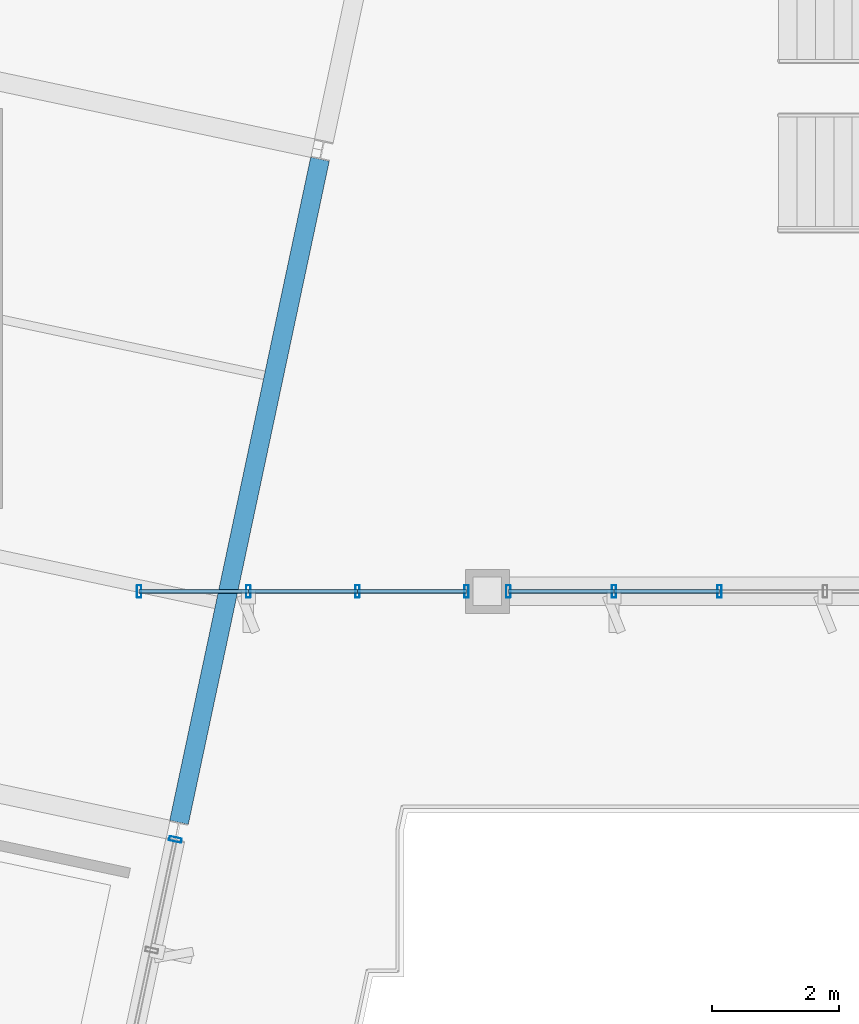
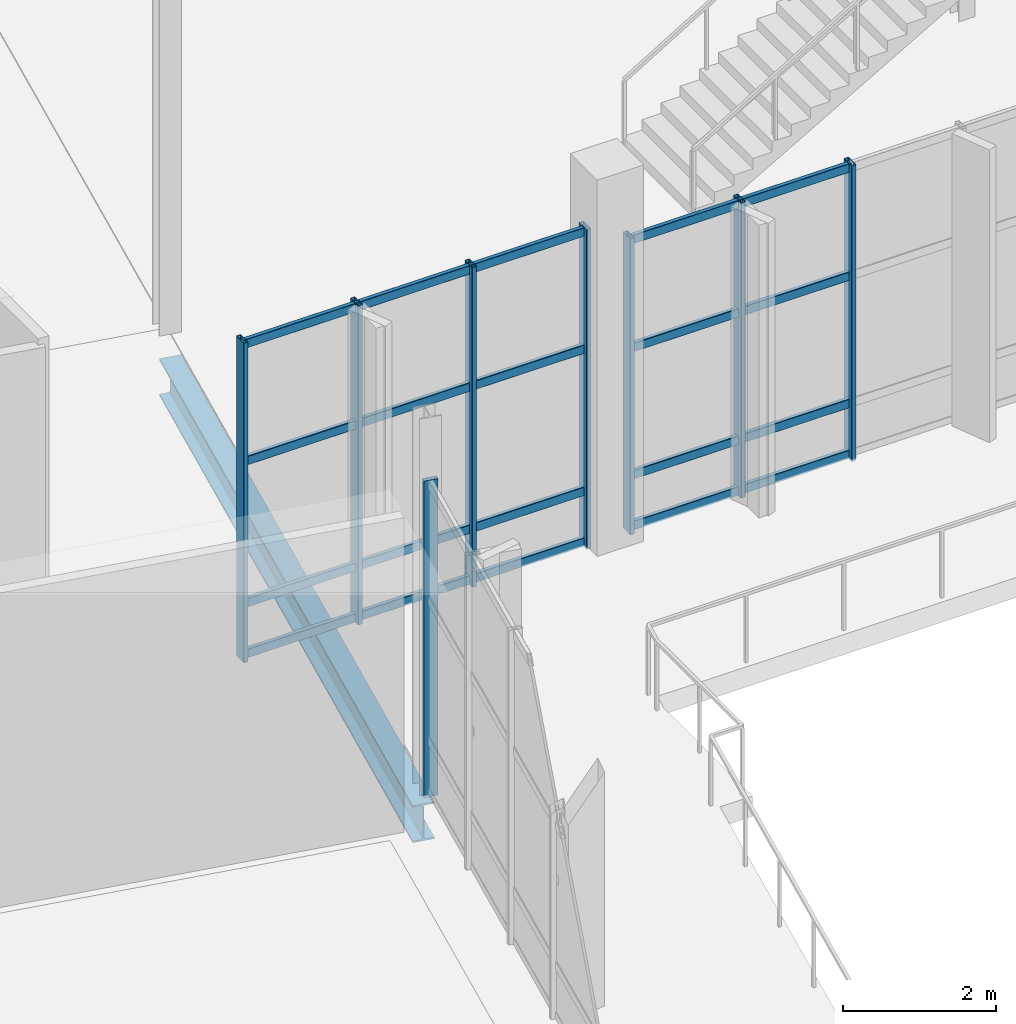
# One storey, part 46 of 163: 28 members, 1 beam, 3 elements without a shape of their own.
"""IFC4 building model written with IfcOpenShell, lengths in metres."""

from ifc_helpers import new_model, si_unit, direction, frame, origin, origin_2d, place, context, subcontext, project, spatial, hollow_rectangle, i_section, extrude, material, layer, layer_set, material_profile, profile_set, type_object, element, aggregate, save


model = new_model("IFC4")

# Units and contexts
model_context = context("Model", 3, precision=1e-05, world=origin(), true_north=direction((0.0, 1.0)))
body_context = subcontext(model_context, "Body", "Model", "MODEL_VIEW")
ifc_project = project(units=[si_unit("LENGTHUNIT", "METRE"), si_unit("AREAUNIT", "SQUARE_METRE"), si_unit("VOLUMEUNIT", "CUBIC_METRE"), si_unit("PLANEANGLEUNIT", "RADIAN"), si_unit("MASSUNIT", "GRAM", prefix="KILO")], contexts=[model_context])

# Site, building, storey
site_placement = place(None, origin())
site = spatial("IfcSite", under=ifc_project, at=site_placement, CompositionType="ELEMENT")
building_placement = place(site_placement, origin())
building = spatial("IfcBuilding", under=site, at=building_placement, Name="Khorjan Park Terminus", CompositionType="ELEMENT")
storey_placement = place(building_placement, origin())
storey = spatial("IfcBuildingStorey", under=building, at=storey_placement, Name="L00", CompositionType="ELEMENT", Elevation=0.0)

# Beam
ifc_material_1 = material(Name="Steel S355", Category="steel")
ifc_material_profile_1 = material_profile(ifc_material_1, i_section(OverallWidth=0.3, OverallDepth=0.59, WebThickness=0.013, FlangeThickness=0.025, FilletRadius=0.027, at=origin_2d()), Name="HEA 600")
ifc_profile_set_1 = profile_set([ifc_material_profile_1], Name="Steel S355")
beam_type = type_object("IfcBeamType", Name="BM-HEA600", PredefinedType="BEAM", material=ifc_profile_set_1)
beam_placement = place(storey_placement, frame((27.1288, 46.3522, -0.655), z_axis=(0.207916823947, 0.978146509639, 0.0), x_axis=(-0.978146509639, 0.207916823947, 0.0)))
element("IfcBeam", 1, at=beam_placement, inside=storey, type_object=beam_type, Name="Primary skew-grid floor girder SB-A60 (L00)", PredefinedType="BEAM", context=body_context, shape_type="SweptSolid", body=[
    extrude(i_section(OverallWidth=0.3, OverallDepth=0.59, WebThickness=0.013, FlangeThickness=0.025, FilletRadius=0.027, at=origin_2d()), origin(), (0.0, 0.0, 1.0), 10.7101),
])

# Curtain wall, members
ifc_material_2 = material(Name="Anodized Bronze Aluminium", Category="aluminium")
ifc_layer = layer(ifc_material_2, 0.22)
ifc_layer_set = layer_set([ifc_layer], Name="Anodized Bronze Aluminium")
curtain_wall_type = type_object("IfcCurtainWallType", Name="CW-PAV-C", PredefinedType="NOTDEFINED", material=ifc_layer_set)
curtain_wall_1_placement = place(storey_placement, origin())
curtain_wall_1 = element("IfcCurtainWall", 2, at=curtain_wall_1_placement, inside=storey, type_object=curtain_wall_type, Name="Unitized curtain wall CW-C (CW-V4L-S-L00-1)", PredefinedType="NOTDEFINED")
ifc_material_profile_2 = material_profile(ifc_material_2, hollow_rectangle(XDim=0.07, YDim=0.2, WallThickness=0.005, InnerFilletRadius=0.005, OuterFilletRadius=0.01, at=origin_2d()), Name="ALM 70x200x5")
ifc_profile_set_2 = profile_set([ifc_material_profile_2], Name="Anodized Bronze Aluminium")
member_type_1 = type_object("IfcMemberType", Name="ML-ALM-200", PredefinedType="MULLION", material=ifc_profile_set_2)
member_1_placement = place(storey_placement, frame((26.5, 50.0, -0.035), z_axis=(0.0, 0.0, 1.0), x_axis=(1.0, 0.0, 0.0)))
member_1 = element("IfcMember", 3, at=member_1_placement, type_object=member_type_1, Name="Curtain-wall mullion ML-20 (CW-V4L-S-L00-1-0)", PredefinedType="MULLION", context=body_context, shape_type="SweptSolid", body=[
    extrude(hollow_rectangle(XDim=0.07, YDim=0.2, WallThickness=0.005, InnerFilletRadius=0.005, OuterFilletRadius=0.01, at=origin_2d()), origin(), (0.0, 0.0, 1.0), 5.095),
])
member_2_placement = place(storey_placement, frame((28.2233, 50.0, -0.035), z_axis=(0.0, 0.0, 1.0), x_axis=(1.0, 0.0, 0.0)))
member_2 = element("IfcMember", 4, at=member_2_placement, type_object=member_type_1, Name="Curtain-wall mullion ML-20 (CW-V4L-S-L00-1-1)", PredefinedType="MULLION", context=body_context, shape_type="SweptSolid", body=[
    extrude(hollow_rectangle(XDim=0.07, YDim=0.2, WallThickness=0.005, InnerFilletRadius=0.005, OuterFilletRadius=0.01, at=origin_2d()), origin(), (0.0, 0.0, 1.0), 5.095),
])
member_3_placement = place(storey_placement, frame((29.9467, 50.0, -0.035), z_axis=(0.0, 0.0, 1.0), x_axis=(1.0, 0.0, 0.0)))
member_3 = element("IfcMember", 5, at=member_3_placement, type_object=member_type_1, Name="Curtain-wall mullion ML-20 (CW-V4L-S-L00-1-2)", PredefinedType="MULLION", context=body_context, shape_type="SweptSolid", body=[
    extrude(hollow_rectangle(XDim=0.07, YDim=0.2, WallThickness=0.005, InnerFilletRadius=0.005, OuterFilletRadius=0.01, at=origin_2d()), origin(), (0.0, 0.0, 1.0), 5.095),
])
member_4_placement = place(storey_placement, frame((31.67, 50.0, -0.035), z_axis=(0.0, 0.0, 1.0), x_axis=(1.0, 0.0, 0.0)))
member_4 = element("IfcMember", 6, at=member_4_placement, type_object=member_type_1, Name="Curtain-wall mullion ML-20 (CW-V4L-S-L00-1-3)", PredefinedType="MULLION", context=body_context, shape_type="SweptSolid", body=[
    extrude(hollow_rectangle(XDim=0.07, YDim=0.2, WallThickness=0.005, InnerFilletRadius=0.005, OuterFilletRadius=0.01, at=origin_2d()), origin(), (0.0, 0.0, 1.0), 5.095),
])

curtain_wall_2_placement = place(storey_placement, origin())
curtain_wall_2 = element("IfcCurtainWall", 7, at=curtain_wall_2_placement, inside=storey, type_object=curtain_wall_type, Name="Unitized curtain wall CW-C (CW-V4L-S-L00-2)", PredefinedType="NOTDEFINED")
member_5_placement = place(storey_placement, frame((32.33, 50.0, -0.035), z_axis=(0.0, 0.0, 1.0), x_axis=(1.0, 0.0, 0.0)))
member_5 = element("IfcMember", 8, at=member_5_placement, type_object=member_type_1, Name="Curtain-wall mullion ML-20 (CW-V4L-S-L00-2-0)", PredefinedType="MULLION", context=body_context, shape_type="SweptSolid", body=[
    extrude(hollow_rectangle(XDim=0.07, YDim=0.2, WallThickness=0.005, InnerFilletRadius=0.005, OuterFilletRadius=0.01, at=origin_2d()), origin(), (0.0, 0.0, 1.0), 4.715),
])
member_6_placement = place(storey_placement, frame((33.998, 50.0, -0.035), z_axis=(0.0, 0.0, 1.0), x_axis=(1.0, 0.0, 0.0)))
member_6 = element("IfcMember", 9, at=member_6_placement, type_object=member_type_1, Name="Curtain-wall mullion ML-20 (CW-V4L-S-L00-2-1)", PredefinedType="MULLION", context=body_context, shape_type="SweptSolid", body=[
    extrude(hollow_rectangle(XDim=0.07, YDim=0.2, WallThickness=0.005, InnerFilletRadius=0.005, OuterFilletRadius=0.01, at=origin_2d()), origin(), (0.0, 0.0, 1.0), 4.715),
])
member_7_placement = place(storey_placement, frame((35.666, 50.0, -0.035), z_axis=(0.0, 0.0, 1.0), x_axis=(1.0, 0.0, 0.0)))
member_7 = element("IfcMember", 10, at=member_7_placement, type_object=member_type_1, Name="Curtain-wall mullion ML-20 (CW-V4L-S-L00-2-2)", PredefinedType="MULLION", context=body_context, shape_type="SweptSolid", body=[
    extrude(hollow_rectangle(XDim=0.07, YDim=0.2, WallThickness=0.005, InnerFilletRadius=0.005, OuterFilletRadius=0.01, at=origin_2d()), origin(), (0.0, 0.0, 1.0), 4.715),
])

# Curtain wall, member
curtain_wall_3_placement = place(storey_placement, origin())
curtain_wall_3 = element("IfcCurtainWall", 11, at=curtain_wall_3_placement, inside=storey, type_object=curtain_wall_type, Name="Unitized curtain wall CW-C (CW-V4-E-L00-B01)", PredefinedType="NOTDEFINED")
member_8_placement = place(storey_placement, frame((27.0716, 46.0829, -0.035), z_axis=(0.0, 0.0, 1.0), x_axis=(0.207916776669, 0.978146519689, 0.0)))
member_8 = element("IfcMember", 12, at=member_8_placement, type_object=member_type_1, Name="Curtain-wall mullion ML-20 (CW-V4-E-L00-B01-6)", PredefinedType="MULLION", context=body_context, shape_type="SweptSolid", body=[
    extrude(hollow_rectangle(XDim=0.07, YDim=0.2, WallThickness=0.005, InnerFilletRadius=0.005, OuterFilletRadius=0.01, at=origin_2d()), origin(), (0.0, 0.0, 1.0), 5.045),
])
aggregate(curtain_wall_3, [member_8])

# Member
ifc_material_profile_3 = material_profile(ifc_material_2, hollow_rectangle(XDim=0.065, YDim=0.14, WallThickness=0.004, InnerFilletRadius=0.004, OuterFilletRadius=0.008, at=origin_2d()), Name="ALT 65x140x4")
ifc_profile_set_3 = profile_set([ifc_material_profile_3], Name="Anodized Bronze Aluminium")
member_type_2 = type_object("IfcMemberType", Name="TR-ALT-140", PredefinedType="USERDEFINED", material=ifc_profile_set_3)
member_9_placement = place(storey_placement, frame((26.5, 50.0, 0.04), z_axis=(1.0, 0.0, 0.0), x_axis=(0.0, 1.0, 0.0)))
member_9 = element("IfcMember", 13, at=member_9_placement, type_object=member_type_2, Name="Curtain-wall transom TR-14 (CW-V4L-S-L00-1-0-1)", ObjectType="TRANSOM", PredefinedType="USERDEFINED", context=body_context, shape_type="SweptSolid", body=[
    extrude(hollow_rectangle(XDim=0.065, YDim=0.14, WallThickness=0.004, InnerFilletRadius=0.004, OuterFilletRadius=0.008, at=origin_2d()), origin(), (0.0, 0.0, 1.0), 1.7233),
])

member_10_placement = place(storey_placement, frame((26.5, 50.0, 0.85), z_axis=(1.0, 0.0, 0.0), x_axis=(0.0, 1.0, 0.0)))
member_10 = element("IfcMember", 14, at=member_10_placement, type_object=member_type_2, Name="Curtain-wall transom TR-14 (CW-V4L-S-L00-1-0-2)", ObjectType="TRANSOM", PredefinedType="USERDEFINED", context=body_context, shape_type="SweptSolid", body=[
    extrude(hollow_rectangle(XDim=0.065, YDim=0.14, WallThickness=0.004, InnerFilletRadius=0.004, OuterFilletRadius=0.008, at=origin_2d()), origin(), (0.0, 0.0, 1.0), 1.7233),
])

member_11_placement = place(storey_placement, frame((26.5, 50.0, 3.1155), z_axis=(1.0, 0.0, 0.0), x_axis=(0.0, 1.0, 0.0)))
member_11 = element("IfcMember", 15, at=member_11_placement, type_object=member_type_2, Name="Curtain-wall transom TR-14 (CW-V4L-S-L00-1-0-3)", ObjectType="TRANSOM", PredefinedType="USERDEFINED", context=body_context, shape_type="SweptSolid", body=[
    extrude(hollow_rectangle(XDim=0.065, YDim=0.14, WallThickness=0.004, InnerFilletRadius=0.004, OuterFilletRadius=0.008, at=origin_2d()), origin(), (0.0, 0.0, 1.0), 1.7233),
])

member_12_placement = place(storey_placement, frame((26.5, 50.0, 4.985), z_axis=(1.0, 0.0, 0.0), x_axis=(0.0, 1.0, 0.0)))
member_12 = element("IfcMember", 16, at=member_12_placement, type_object=member_type_2, Name="Curtain-wall transom TR-14 (CW-V4L-S-L00-1-0-4)", ObjectType="TRANSOM", PredefinedType="USERDEFINED", context=body_context, shape_type="SweptSolid", body=[
    extrude(hollow_rectangle(XDim=0.065, YDim=0.14, WallThickness=0.004, InnerFilletRadius=0.004, OuterFilletRadius=0.008, at=origin_2d()), origin(), (0.0, 0.0, 1.0), 1.7233),
])

member_13_placement = place(storey_placement, frame((28.2233, 50.0, 0.04), z_axis=(1.0, 0.0, 0.0), x_axis=(0.0, 1.0, 0.0)))
member_13 = element("IfcMember", 17, at=member_13_placement, type_object=member_type_2, Name="Curtain-wall transom TR-14 (CW-V4L-S-L00-1-1-1)", ObjectType="TRANSOM", PredefinedType="USERDEFINED", context=body_context, shape_type="SweptSolid", body=[
    extrude(hollow_rectangle(XDim=0.065, YDim=0.14, WallThickness=0.004, InnerFilletRadius=0.004, OuterFilletRadius=0.008, at=origin_2d()), origin(), (0.0, 0.0, 1.0), 1.7234),
])

member_14_placement = place(storey_placement, frame((28.2233, 50.0, 0.85), z_axis=(1.0, 0.0, 0.0), x_axis=(0.0, 1.0, 0.0)))
member_14 = element("IfcMember", 18, at=member_14_placement, type_object=member_type_2, Name="Curtain-wall transom TR-14 (CW-V4L-S-L00-1-1-2)", ObjectType="TRANSOM", PredefinedType="USERDEFINED", context=body_context, shape_type="SweptSolid", body=[
    extrude(hollow_rectangle(XDim=0.065, YDim=0.14, WallThickness=0.004, InnerFilletRadius=0.004, OuterFilletRadius=0.008, at=origin_2d()), origin(), (0.0, 0.0, 1.0), 1.7234),
])

member_15_placement = place(storey_placement, frame((28.2233, 50.0, 3.1155), z_axis=(1.0, 0.0, 0.0), x_axis=(0.0, 1.0, 0.0)))
member_15 = element("IfcMember", 19, at=member_15_placement, type_object=member_type_2, Name="Curtain-wall transom TR-14 (CW-V4L-S-L00-1-1-3)", ObjectType="TRANSOM", PredefinedType="USERDEFINED", context=body_context, shape_type="SweptSolid", body=[
    extrude(hollow_rectangle(XDim=0.065, YDim=0.14, WallThickness=0.004, InnerFilletRadius=0.004, OuterFilletRadius=0.008, at=origin_2d()), origin(), (0.0, 0.0, 1.0), 1.7234),
])

member_16_placement = place(storey_placement, frame((28.2233, 50.0, 4.985), z_axis=(1.0, 0.0, 0.0), x_axis=(0.0, 1.0, 0.0)))
member_16 = element("IfcMember", 20, at=member_16_placement, type_object=member_type_2, Name="Curtain-wall transom TR-14 (CW-V4L-S-L00-1-1-4)", ObjectType="TRANSOM", PredefinedType="USERDEFINED", context=body_context, shape_type="SweptSolid", body=[
    extrude(hollow_rectangle(XDim=0.065, YDim=0.14, WallThickness=0.004, InnerFilletRadius=0.004, OuterFilletRadius=0.008, at=origin_2d()), origin(), (0.0, 0.0, 1.0), 1.7234),
])

member_17_placement = place(storey_placement, frame((29.9467, 50.0, 0.04), z_axis=(1.0, 0.0, 0.0), x_axis=(0.0, 1.0, 0.0)))
member_17 = element("IfcMember", 21, at=member_17_placement, type_object=member_type_2, Name="Curtain-wall transom TR-14 (CW-V4L-S-L00-1-2-1)", ObjectType="TRANSOM", PredefinedType="USERDEFINED", context=body_context, shape_type="SweptSolid", body=[
    extrude(hollow_rectangle(XDim=0.065, YDim=0.14, WallThickness=0.004, InnerFilletRadius=0.004, OuterFilletRadius=0.008, at=origin_2d()), origin(), (0.0, 0.0, 1.0), 1.7233),
])

member_18_placement = place(storey_placement, frame((29.9467, 50.0, 0.85), z_axis=(1.0, 0.0, 0.0), x_axis=(0.0, 1.0, 0.0)))
member_18 = element("IfcMember", 22, at=member_18_placement, type_object=member_type_2, Name="Curtain-wall transom TR-14 (CW-V4L-S-L00-1-2-2)", ObjectType="TRANSOM", PredefinedType="USERDEFINED", context=body_context, shape_type="SweptSolid", body=[
    extrude(hollow_rectangle(XDim=0.065, YDim=0.14, WallThickness=0.004, InnerFilletRadius=0.004, OuterFilletRadius=0.008, at=origin_2d()), origin(), (0.0, 0.0, 1.0), 1.7233),
])

member_19_placement = place(storey_placement, frame((29.9467, 50.0, 3.1155), z_axis=(1.0, 0.0, 0.0), x_axis=(0.0, 1.0, 0.0)))
member_19 = element("IfcMember", 23, at=member_19_placement, type_object=member_type_2, Name="Curtain-wall transom TR-14 (CW-V4L-S-L00-1-2-3)", ObjectType="TRANSOM", PredefinedType="USERDEFINED", context=body_context, shape_type="SweptSolid", body=[
    extrude(hollow_rectangle(XDim=0.065, YDim=0.14, WallThickness=0.004, InnerFilletRadius=0.004, OuterFilletRadius=0.008, at=origin_2d()), origin(), (0.0, 0.0, 1.0), 1.7233),
])

member_20_placement = place(storey_placement, frame((29.9467, 50.0, 4.985), z_axis=(1.0, 0.0, 0.0), x_axis=(0.0, 1.0, 0.0)))
member_20 = element("IfcMember", 24, at=member_20_placement, type_object=member_type_2, Name="Curtain-wall transom TR-14 (CW-V4L-S-L00-1-2-4)", ObjectType="TRANSOM", PredefinedType="USERDEFINED", context=body_context, shape_type="SweptSolid", body=[
    extrude(hollow_rectangle(XDim=0.065, YDim=0.14, WallThickness=0.004, InnerFilletRadius=0.004, OuterFilletRadius=0.008, at=origin_2d()), origin(), (0.0, 0.0, 1.0), 1.7233),
])

aggregate(curtain_wall_1, [member_1, member_2, member_3, member_4, member_9, member_10, member_11, member_12, member_13, member_14, member_15, member_16, member_17, member_18, member_19, member_20])

member_21_placement = place(storey_placement, frame((32.33, 50.0, 0.04), z_axis=(1.0, 0.0, 0.0), x_axis=(0.0, 1.0, 0.0)))
member_21 = element("IfcMember", 25, at=member_21_placement, type_object=member_type_2, Name="Curtain-wall transom TR-14 (CW-V4L-S-L00-2-0-1)", ObjectType="TRANSOM", PredefinedType="USERDEFINED", context=body_context, shape_type="SweptSolid", body=[
    extrude(hollow_rectangle(XDim=0.065, YDim=0.14, WallThickness=0.004, InnerFilletRadius=0.004, OuterFilletRadius=0.008, at=origin_2d()), origin(), (0.0, 0.0, 1.0), 1.668),
])

member_22_placement = place(storey_placement, frame((32.33, 50.0, 0.85), z_axis=(1.0, 0.0, 0.0), x_axis=(0.0, 1.0, 0.0)))
member_22 = element("IfcMember", 26, at=member_22_placement, type_object=member_type_2, Name="Curtain-wall transom TR-14 (CW-V4L-S-L00-2-0-2)", ObjectType="TRANSOM", PredefinedType="USERDEFINED", context=body_context, shape_type="SweptSolid", body=[
    extrude(hollow_rectangle(XDim=0.065, YDim=0.14, WallThickness=0.004, InnerFilletRadius=0.004, OuterFilletRadius=0.008, at=origin_2d()), origin(), (0.0, 0.0, 1.0), 1.668),
])

member_23_placement = place(storey_placement, frame((32.33, 50.0, 2.8799), z_axis=(1.0, 0.0, 0.0), x_axis=(0.0, 1.0, 0.0)))
member_23 = element("IfcMember", 27, at=member_23_placement, type_object=member_type_2, Name="Curtain-wall transom TR-14 (CW-V4L-S-L00-2-0-3)", ObjectType="TRANSOM", PredefinedType="USERDEFINED", context=body_context, shape_type="SweptSolid", body=[
    extrude(hollow_rectangle(XDim=0.065, YDim=0.14, WallThickness=0.004, InnerFilletRadius=0.004, OuterFilletRadius=0.008, at=origin_2d()), origin(), (0.0, 0.0, 1.0), 1.668),
])

member_24_placement = place(storey_placement, frame((32.33, 50.0, 4.605), z_axis=(1.0, 0.0, 0.0), x_axis=(0.0, 1.0, 0.0)))
member_24 = element("IfcMember", 28, at=member_24_placement, type_object=member_type_2, Name="Curtain-wall transom TR-14 (CW-V4L-S-L00-2-0-4)", ObjectType="TRANSOM", PredefinedType="USERDEFINED", context=body_context, shape_type="SweptSolid", body=[
    extrude(hollow_rectangle(XDim=0.065, YDim=0.14, WallThickness=0.004, InnerFilletRadius=0.004, OuterFilletRadius=0.008, at=origin_2d()), origin(), (0.0, 0.0, 1.0), 1.668),
])

member_25_placement = place(storey_placement, frame((33.998, 50.0, 0.04), z_axis=(1.0, 0.0, 0.0), x_axis=(0.0, 1.0, 0.0)))
member_25 = element("IfcMember", 29, at=member_25_placement, type_object=member_type_2, Name="Curtain-wall transom TR-14 (CW-V4L-S-L00-2-1-1)", ObjectType="TRANSOM", PredefinedType="USERDEFINED", context=body_context, shape_type="SweptSolid", body=[
    extrude(hollow_rectangle(XDim=0.065, YDim=0.14, WallThickness=0.004, InnerFilletRadius=0.004, OuterFilletRadius=0.008, at=origin_2d()), origin(), (0.0, 0.0, 1.0), 1.668),
])

member_26_placement = place(storey_placement, frame((33.998, 50.0, 0.85), z_axis=(1.0, 0.0, 0.0), x_axis=(0.0, 1.0, 0.0)))
member_26 = element("IfcMember", 30, at=member_26_placement, type_object=member_type_2, Name="Curtain-wall transom TR-14 (CW-V4L-S-L00-2-1-2)", ObjectType="TRANSOM", PredefinedType="USERDEFINED", context=body_context, shape_type="SweptSolid", body=[
    extrude(hollow_rectangle(XDim=0.065, YDim=0.14, WallThickness=0.004, InnerFilletRadius=0.004, OuterFilletRadius=0.008, at=origin_2d()), origin(), (0.0, 0.0, 1.0), 1.668),
])

member_27_placement = place(storey_placement, frame((33.998, 50.0, 2.8799), z_axis=(1.0, 0.0, 0.0), x_axis=(0.0, 1.0, 0.0)))
member_27 = element("IfcMember", 31, at=member_27_placement, type_object=member_type_2, Name="Curtain-wall transom TR-14 (CW-V4L-S-L00-2-1-3)", ObjectType="TRANSOM", PredefinedType="USERDEFINED", context=body_context, shape_type="SweptSolid", body=[
    extrude(hollow_rectangle(XDim=0.065, YDim=0.14, WallThickness=0.004, InnerFilletRadius=0.004, OuterFilletRadius=0.008, at=origin_2d()), origin(), (0.0, 0.0, 1.0), 1.668),
])

member_28_placement = place(storey_placement, frame((33.998, 50.0, 4.605), z_axis=(1.0, 0.0, 0.0), x_axis=(0.0, 1.0, 0.0)))
member_28 = element("IfcMember", 32, at=member_28_placement, type_object=member_type_2, Name="Curtain-wall transom TR-14 (CW-V4L-S-L00-2-1-4)", ObjectType="TRANSOM", PredefinedType="USERDEFINED", context=body_context, shape_type="SweptSolid", body=[
    extrude(hollow_rectangle(XDim=0.065, YDim=0.14, WallThickness=0.004, InnerFilletRadius=0.004, OuterFilletRadius=0.008, at=origin_2d()), origin(), (0.0, 0.0, 1.0), 1.668),
])

aggregate(curtain_wall_2, [member_5, member_6, member_7, member_21, member_22, member_23, member_24, member_25, member_26, member_27, member_28])

save(model, "model.ifc")
